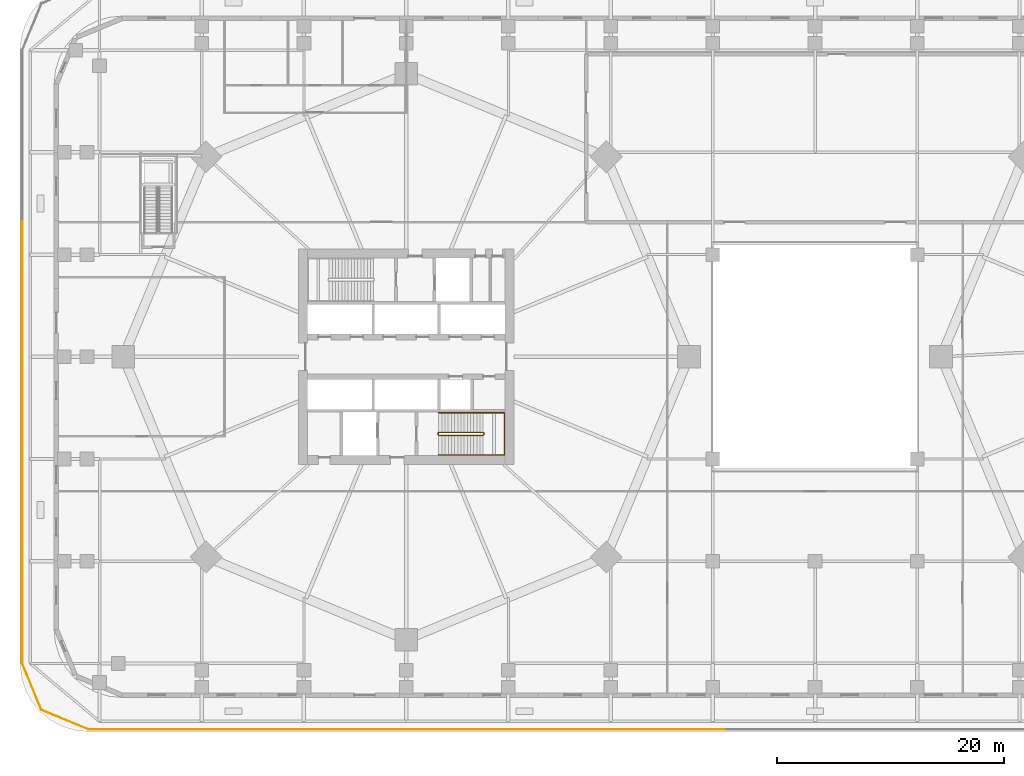
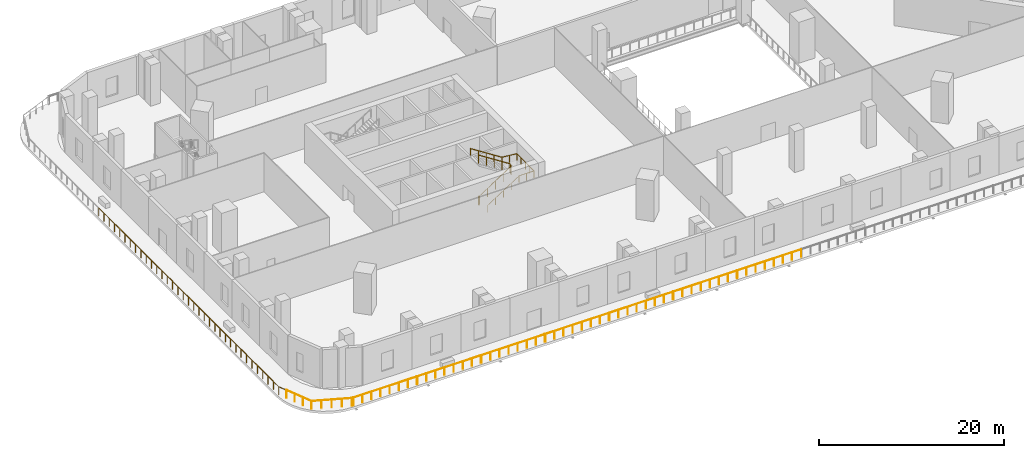
# One storey, part 13 of 19: 15 railings.
"""IFC4 building model written with IfcOpenShell, lengths in metres."""

from ifc_helpers import new_model, si_unit, direction, frame, origin, origin_2d, place, context, subcontext, project, spatial, circle, extrude, material, type_object, element, save


model = new_model("IFC4")

# Units and contexts
model_context = context("Model", 3, precision=1e-05, world=origin(), true_north=direction((0.0, 1.0)))
body_context = subcontext(model_context, "Body", "Model", "MODEL_VIEW")
ifc_project = project(units=[si_unit("LENGTHUNIT", "METRE"), si_unit("AREAUNIT", "SQUARE_METRE"), si_unit("VOLUMEUNIT", "CUBIC_METRE"), si_unit("PLANEANGLEUNIT", "RADIAN"), si_unit("MASSUNIT", "GRAM", prefix="KILO")], contexts=[model_context])

# Site, building, storey
site_placement = place(None, origin())
site = spatial("IfcSite", under=ifc_project, at=site_placement, CompositionType="ELEMENT")
building_placement = place(site_placement, origin())
building = spatial("IfcBuilding", under=site, at=building_placement, Name="Ogive Gate Towers", CompositionType="ELEMENT")
storey_placement = place(building_placement, frame((0.0, 0.0, 12.60009765625)))
storey = spatial("IfcBuildingStorey", under=building, at=storey_placement, Name="L02", CompositionType="ELEMENT", Elevation=12.60009765625)

# Railings
ifc_material = material(Name="Stainless steel", Category="steel")
railing_type_1 = type_object("IfcRailingType", Name="Guard 1100", PredefinedType="GUARDRAIL", material=ifc_material)
railing_1_placement = place(storey_placement, frame((-69.800048828125, 11.907470703125, 0.0)))
element("IfcRailing", 1, at=railing_1_placement, inside=storey, type_object=railing_type_1, Name="Terrace guard", PredefinedType="GUARDRAIL", context=body_context, shape_type="SweptSolid", body=[
    extrude(circle(Radius=0.02392578125, at=origin_2d()), frame((0.0, 0.0, 1.076171875), z_axis=(0.0, -1.0, 0.0), x_axis=(1.0, 0.0, 0.0)), (0.0, 0.0, 1.0), 7.940185546875),
    extrude(circle(Radius=0.02099609375, at=origin_2d()), origin(), (0.0, 0.0, 1.0), 1.052001953125),
    extrude(circle(Radius=0.02099609375, at=origin_2d()), frame((0.0, -1.13427734375, 0.0)), (0.0, 0.0, 1.0), 1.052001953125),
    extrude(circle(Radius=0.02099609375, at=origin_2d()), frame((0.0, -2.2685546875, 0.0)), (0.0, 0.0, 1.0), 1.052001953125),
    extrude(circle(Radius=0.02099609375, at=origin_2d()), frame((0.0, -3.40283203125, 0.0)), (0.0, 0.0, 1.0), 1.052001953125),
    extrude(circle(Radius=0.02099609375, at=origin_2d()), frame((0.0, -4.537353515625, 0.0)), (0.0, 0.0, 1.0), 1.052001953125),
    extrude(circle(Radius=0.02099609375, at=origin_2d()), frame((0.0, -5.671630859375, 0.0)), (0.0, 0.0, 1.0), 1.052001953125),
    extrude(circle(Radius=0.02099609375, at=origin_2d()), frame((0.0, -6.805908203125, 0.0)), (0.0, 0.0, 1.0), 1.052001953125),
    extrude(circle(Radius=0.02099609375, at=origin_2d()), frame((0.0, -7.940185546875, 0.0)), (0.0, 0.0, 1.0), 1.052001953125),
])
railing_2_placement = place(storey_placement, frame((-69.800048828125, 3.917236328125, 0.0)))
element("IfcRailing", 2, at=railing_2_placement, inside=storey, type_object=railing_type_1, Name="Terrace guard", PredefinedType="GUARDRAIL", context=body_context, shape_type="SweptSolid", body=[
    extrude(circle(Radius=0.02392578125, at=origin_2d()), frame((0.0, 0.0, 1.076171875), z_axis=(0.0, -1.0, 0.0), x_axis=(1.0, 0.0, 0.0)), (0.0, 0.0, 1.0), 7.9404296875),
    extrude(circle(Radius=0.02099609375, at=origin_2d()), origin(), (0.0, 0.0, 1.0), 1.052001953125),
    extrude(circle(Radius=0.02099609375, at=origin_2d()), frame((0.0, -1.13427734375, 0.0)), (0.0, 0.0, 1.0), 1.052001953125),
    extrude(circle(Radius=0.02099609375, at=origin_2d()), frame((0.0, -2.268798828125, 0.0)), (0.0, 0.0, 1.0), 1.052001953125),
    extrude(circle(Radius=0.02099609375, at=origin_2d()), frame((0.0, -3.403076171875, 0.0)), (0.0, 0.0, 1.0), 1.052001953125),
    extrude(circle(Radius=0.02099609375, at=origin_2d()), frame((0.0, -4.537353515625, 0.0)), (0.0, 0.0, 1.0), 1.052001953125),
    extrude(circle(Radius=0.02099609375, at=origin_2d()), frame((0.0, -5.671630859375, 0.0)), (0.0, 0.0, 1.0), 1.052001953125),
    extrude(circle(Radius=0.02099609375, at=origin_2d()), frame((0.0, -6.80615234375, 0.0)), (0.0, 0.0, 1.0), 1.052001953125),
    extrude(circle(Radius=0.02099609375, at=origin_2d()), frame((0.0, -7.9404296875, 0.0)), (0.0, 0.0, 1.0), 1.052001953125),
])
railing_3_placement = place(storey_placement, frame((-69.800048828125, -4.072998046875, 0.0)))
element("IfcRailing", 3, at=railing_3_placement, inside=storey, type_object=railing_type_1, Name="Terrace guard", PredefinedType="GUARDRAIL", context=body_context, shape_type="SweptSolid", body=[
    extrude(circle(Radius=0.02392578125, at=origin_2d()), frame((0.0, 0.0, 1.076171875), z_axis=(0.0, -1.0, 0.0), x_axis=(1.0, 0.0, 0.0)), (0.0, 0.0, 1.0), 7.940185546875),
    extrude(circle(Radius=0.02099609375, at=origin_2d()), origin(), (0.0, 0.0, 1.0), 1.052001953125),
    extrude(circle(Radius=0.02099609375, at=origin_2d()), frame((0.0, -1.13427734375, 0.0)), (0.0, 0.0, 1.0), 1.052001953125),
    extrude(circle(Radius=0.02099609375, at=origin_2d()), frame((0.0, -2.2685546875, 0.0)), (0.0, 0.0, 1.0), 1.052001953125),
    extrude(circle(Radius=0.02099609375, at=origin_2d()), frame((0.0, -3.40283203125, 0.0)), (0.0, 0.0, 1.0), 1.052001953125),
    extrude(circle(Radius=0.02099609375, at=origin_2d()), frame((0.0, -4.537353515625, 0.0)), (0.0, 0.0, 1.0), 1.052001953125),
    extrude(circle(Radius=0.02099609375, at=origin_2d()), frame((0.0, -5.671630859375, 0.0)), (0.0, 0.0, 1.0), 1.052001953125),
    extrude(circle(Radius=0.02099609375, at=origin_2d()), frame((0.0, -6.805908203125, 0.0)), (0.0, 0.0, 1.0), 1.052001953125),
    extrude(circle(Radius=0.02099609375, at=origin_2d()), frame((0.0, -7.940185546875, 0.0)), (0.0, 0.0, 1.0), 1.052001953125),
])
railing_4_placement = place(storey_placement, frame((-69.800048828125, -12.063232421875, 0.0)))
element("IfcRailing", 4, at=railing_4_placement, inside=storey, type_object=railing_type_1, Name="Terrace guard", PredefinedType="GUARDRAIL", context=body_context, shape_type="SweptSolid", body=[
    extrude(circle(Radius=0.02392578125, at=origin_2d()), frame((0.0, 0.0, 1.076171875), z_axis=(0.0, -1.0, 0.0), x_axis=(1.0, 0.0, 0.0)), (0.0, 0.0, 1.0), 7.9404296875),
    extrude(circle(Radius=0.02099609375, at=origin_2d()), origin(), (0.0, 0.0, 1.0), 1.052001953125),
    extrude(circle(Radius=0.02099609375, at=origin_2d()), frame((0.0, -1.13427734375, 0.0)), (0.0, 0.0, 1.0), 1.052001953125),
    extrude(circle(Radius=0.02099609375, at=origin_2d()), frame((0.0, -2.268798828125, 0.0)), (0.0, 0.0, 1.0), 1.052001953125),
    extrude(circle(Radius=0.02099609375, at=origin_2d()), frame((0.0, -3.403076171875, 0.0)), (0.0, 0.0, 1.0), 1.052001953125),
    extrude(circle(Radius=0.02099609375, at=origin_2d()), frame((0.0, -4.537353515625, 0.0)), (0.0, 0.0, 1.0), 1.052001953125),
    extrude(circle(Radius=0.02099609375, at=origin_2d()), frame((0.0, -5.671630859375, 0.0)), (0.0, 0.0, 1.0), 1.052001953125),
    extrude(circle(Radius=0.02099609375, at=origin_2d()), frame((0.0, -6.80615234375, 0.0)), (0.0, 0.0, 1.0), 1.052001953125),
    extrude(circle(Radius=0.02099609375, at=origin_2d()), frame((0.0, -7.9404296875, 0.0)), (0.0, 0.0, 1.0), 1.052001953125),
])
railing_5_placement = place(storey_placement, frame((-69.800048828125, -20.0537109375, 0.0)))
element("IfcRailing", 5, at=railing_5_placement, inside=storey, type_object=railing_type_1, Name="Terrace guard", PredefinedType="GUARDRAIL", context=body_context, shape_type="SweptSolid", body=[
    extrude(circle(Radius=0.02392578125, at=origin_2d()), frame((0.0, 0.0, 1.076171875), z_axis=(0.0, -1.0, 0.0), x_axis=(1.0, 0.0, 0.0)), (0.0, 0.0, 1.0), 6.9462890625),
    extrude(circle(Radius=0.02392578125, at=origin_2d()), frame((0.0, -6.9462890625, 1.076171875), z_axis=(0.382713371385, -0.923867130795, 0.0), x_axis=(0.923867130795, 0.382713371385, 0.0)), (0.0, 0.0, 1.0), 0.993896484375),
    extrude(circle(Radius=0.02099609375, at=origin_2d()), origin(), (0.0, 0.0, 1.0), 1.052001953125),
    extrude(circle(Radius=0.02099609375, at=origin_2d()), frame((0.0, -1.15771484375, 0.0)), (0.0, 0.0, 1.0), 1.052001953125),
    extrude(circle(Radius=0.02099609375, at=origin_2d()), frame((0.0, -2.3154296875, 0.0)), (0.0, 0.0, 1.0), 1.052001953125),
    extrude(circle(Radius=0.02099609375, at=origin_2d()), frame((0.0, -3.47314453125, 0.0)), (0.0, 0.0, 1.0), 1.052001953125),
    extrude(circle(Radius=0.02099609375, at=origin_2d()), frame((0.0, -4.630859375, 0.0)), (0.0, 0.0, 1.0), 1.052001953125),
    extrude(circle(Radius=0.02099609375, at=origin_2d()), frame((0.0, -5.78857421875, 0.0)), (0.0, 0.0, 1.0), 1.052001953125),
    extrude(circle(Radius=0.02099609375, at=origin_2d()), frame((0.0, -6.9462890625, 0.0)), (0.0, 0.0, 1.0), 1.052001953125),
    extrude(circle(Radius=0.02099609375, at=origin_2d()), frame((0.38037109375, -7.864501953125, 0.0)), (0.0, 0.0, 1.0), 1.052001953125),
])
railing_6_placement = place(storey_placement, frame((-69.400390625, -27.96435546875, 0.0)))
element("IfcRailing", 6, at=railing_6_placement, inside=storey, type_object=railing_type_1, Name="Terrace guard", PredefinedType="GUARDRAIL", context=body_context, shape_type="SweptSolid", body=[
    extrude(circle(Radius=0.02392578125, at=origin_2d()), frame((0.0, 0.0, 1.076171875), z_axis=(0.382607935992, -0.923910800519, 0.0), x_axis=(0.923910800519, 0.382607935992, 0.0)), (0.0, 0.0, 1.0), 3.395263671875),
    extrude(circle(Radius=0.02392578125, at=origin_2d()), frame((1.299072265625, -3.136962890625, 1.076171875), z_axis=(0.923886797369, -0.382665892976, 0.0), x_axis=(0.382665892976, 0.923886797369, 0.0)), (0.0, 0.0, 1.0), 4.439208984375),
    extrude(circle(Radius=0.02392578125, at=origin_2d()), frame((5.400390625, -4.835693359375, 1.076171875), z_axis=(1.0, 0.0, 0.0), x_axis=(0.0, 1.0, 0.0)), (0.0, 0.0, 1.0), 0.10595703125),
    extrude(circle(Radius=0.02099609375, at=origin_2d()), origin(), (0.0, 0.0, 1.0), 1.052001953125),
    extrude(circle(Radius=0.02099609375, at=origin_2d()), frame((0.43310546875, -1.045654296875, 0.0)), (0.0, 0.0, 1.0), 1.052001953125),
    extrude(circle(Radius=0.02099609375, at=origin_2d()), frame((0.865966796875, -2.09130859375, 0.0)), (0.0, 0.0, 1.0), 1.052001953125),
    extrude(circle(Radius=0.02099609375, at=origin_2d()), frame((1.299072265625, -3.136962890625, 0.0)), (0.0, 0.0, 1.0), 1.052001953125),
    extrude(circle(Radius=0.02099609375, at=origin_2d()), frame((2.324462890625, -3.5615234375, 0.0)), (0.0, 0.0, 1.0), 1.052001953125),
    extrude(circle(Radius=0.02099609375, at=origin_2d()), frame((3.349609375, -3.986328125, 0.0)), (0.0, 0.0, 1.0), 1.052001953125),
    extrude(circle(Radius=0.02099609375, at=origin_2d()), frame((4.375, -4.4111328125, 0.0)), (0.0, 0.0, 1.0), 1.052001953125),
    extrude(circle(Radius=0.02099609375, at=origin_2d()), frame((5.400390625, -4.835693359375, 0.0)), (0.0, 0.0, 1.0), 1.052001953125),
    extrude(circle(Radius=0.02099609375, at=origin_2d()), frame((5.50634765625, -4.835693359375, 0.0)), (0.0, 0.0, 1.0), 1.052001953125),
])
railing_7_placement = place(storey_placement, frame((-63.843994140625, -32.800048828125, 0.0)))
element("IfcRailing", 7, at=railing_7_placement, inside=storey, type_object=railing_type_1, Name="Terrace guard", PredefinedType="GUARDRAIL", context=body_context, shape_type="SweptSolid", body=[
    extrude(circle(Radius=0.02392578125, at=origin_2d()), frame((0.0, 0.0, 1.076171875), z_axis=(1.0, 0.0, 0.0), x_axis=(0.0, 1.0, 0.0)), (0.0, 0.0, 1.0), 7.940185546875),
    extrude(circle(Radius=0.02099609375, at=origin_2d()), origin(), (0.0, 0.0, 1.0), 1.052001953125),
    extrude(circle(Radius=0.02099609375, at=origin_2d()), frame((1.13427734375, 0.0, 0.0)), (0.0, 0.0, 1.0), 1.052001953125),
    extrude(circle(Radius=0.02099609375, at=origin_2d()), frame((2.2685546875, 0.0, 0.0)), (0.0, 0.0, 1.0), 1.052001953125),
    extrude(circle(Radius=0.02099609375, at=origin_2d()), frame((3.40283203125, 0.0, 0.0)), (0.0, 0.0, 1.0), 1.052001953125),
    extrude(circle(Radius=0.02099609375, at=origin_2d()), frame((4.537353515625, 0.0, 0.0)), (0.0, 0.0, 1.0), 1.052001953125),
    extrude(circle(Radius=0.02099609375, at=origin_2d()), frame((5.671630859375, 0.0, 0.0)), (0.0, 0.0, 1.0), 1.052001953125),
    extrude(circle(Radius=0.02099609375, at=origin_2d()), frame((6.805908203125, 0.0, 0.0)), (0.0, 0.0, 1.0), 1.052001953125),
    extrude(circle(Radius=0.02099609375, at=origin_2d()), frame((7.940185546875, 0.0, 0.0)), (0.0, 0.0, 1.0), 1.052001953125),
])
railing_8_placement = place(storey_placement, frame((-55.85400390625, -32.800048828125, 0.0)))
element("IfcRailing", 8, at=railing_8_placement, inside=storey, type_object=railing_type_1, Name="Terrace guard", PredefinedType="GUARDRAIL", context=body_context, shape_type="SweptSolid", body=[
    extrude(circle(Radius=0.02392578125, at=origin_2d()), frame((0.0, 0.0, 1.076171875), z_axis=(1.0, 0.0, 0.0), x_axis=(0.0, 1.0, 0.0)), (0.0, 0.0, 1.0), 7.9404296875),
    extrude(circle(Radius=0.02099609375, at=origin_2d()), origin(), (0.0, 0.0, 1.0), 1.052001953125),
    extrude(circle(Radius=0.02099609375, at=origin_2d()), frame((1.13427734375, 0.0, 0.0)), (0.0, 0.0, 1.0), 1.052001953125),
    extrude(circle(Radius=0.02099609375, at=origin_2d()), frame((2.268798828125, 0.0, 0.0)), (0.0, 0.0, 1.0), 1.052001953125),
    extrude(circle(Radius=0.02099609375, at=origin_2d()), frame((3.403076171875, 0.0, 0.0)), (0.0, 0.0, 1.0), 1.052001953125),
    extrude(circle(Radius=0.02099609375, at=origin_2d()), frame((4.537353515625, 0.0, 0.0)), (0.0, 0.0, 1.0), 1.052001953125),
    extrude(circle(Radius=0.02099609375, at=origin_2d()), frame((5.671630859375, 0.0, 0.0)), (0.0, 0.0, 1.0), 1.052001953125),
    extrude(circle(Radius=0.02099609375, at=origin_2d()), frame((6.80615234375, 0.0, 0.0)), (0.0, 0.0, 1.0), 1.052001953125),
    extrude(circle(Radius=0.02099609375, at=origin_2d()), frame((7.9404296875, 0.0, 0.0)), (0.0, 0.0, 1.0), 1.052001953125),
])
for number, where, name in (
    (9, (-47.863525390625, -32.800048828125, 0.0), "Terrace guard"),
    (10, (-39.873291015625, -32.800048828125, 0.0), "Terrace guard"),
    (11, (-31.883056640625, -32.800048828125, 0.0), "Terrace guard"),
    (12, (-23.892822265625, -32.800048828125, 0.0), "Terrace guard"),
    (13, (-15.902587890625, -32.800048828125, 0.0), "Terrace guard"),
):
    element("IfcRailing", number, at=place(storey_placement, frame(where)), inside=storey, type_object=railing_type_1, Name=name, PredefinedType="GUARDRAIL", context=body_context, shape_type="SweptSolid", body=[
        extrude(circle(Radius=0.02392578125, at=origin_2d()), frame((0.0, 0.0, 1.076171875), z_axis=(1.0, 0.0, 0.0), x_axis=(0.0, 1.0, 0.0)), (0.0, 0.0, 1.0), 7.940185546875),
        extrude(circle(Radius=0.02099609375, at=origin_2d()), origin(), (0.0, 0.0, 1.0), 1.052001953125),
        extrude(circle(Radius=0.02099609375, at=origin_2d()), frame((1.13427734375, 0.0, 0.0)), (0.0, 0.0, 1.0), 1.052001953125),
        extrude(circle(Radius=0.02099609375, at=origin_2d()), frame((2.2685546875, 0.0, 0.0)), (0.0, 0.0, 1.0), 1.052001953125),
        extrude(circle(Radius=0.02099609375, at=origin_2d()), frame((3.40283203125, 0.0, 0.0)), (0.0, 0.0, 1.0), 1.052001953125),
        extrude(circle(Radius=0.02099609375, at=origin_2d()), frame((4.537353515625, 0.0, 0.0)), (0.0, 0.0, 1.0), 1.052001953125),
        extrude(circle(Radius=0.02099609375, at=origin_2d()), frame((5.671630859375, 0.0, 0.0)), (0.0, 0.0, 1.0), 1.052001953125),
        extrude(circle(Radius=0.02099609375, at=origin_2d()), frame((6.805908203125, 0.0, 0.0)), (0.0, 0.0, 1.0), 1.052001953125),
        extrude(circle(Radius=0.02099609375, at=origin_2d()), frame((7.940185546875, 0.0, 0.0)), (0.0, 0.0, 1.0), 1.052001953125),
    ])
railing_type_2 = type_object("IfcRailingType", Name="Stair guard 1100", PredefinedType="GUARDRAIL", material=ifc_material)
railing_9_placement = place(storey_placement, frame((-33.18505859375, -6.860107421875, 0.0)))
element("IfcRailing", 14, at=railing_9_placement, inside=storey, type_object=railing_type_2, Name="L02 ST2 stair guard 1", PredefinedType="GUARDRAIL", context=body_context, shape_type="SweptSolid", body=[
    extrude(circle(Radius=0.02392578125, at=origin_2d()), frame((0.0, 0.0, 1.076171875), z_axis=(0.0, 1.0, 0.0), x_axis=(-1.0, 0.0, 0.0)), (0.0, 0.0, 1.0), 0.14501953125),
    extrude(circle(Radius=0.02392578125, at=origin_2d()), frame((0.0, 0.14501953125, 1.076171875), z_axis=(0.185446488196, -0.721884378442, 0.666702740491), x_axis=(0.968551454522, 0.24881334358, 0.0)), (0.0, 0.0, 1.0), 0.269775390625),
    extrude(circle(Radius=0.02392578125, at=origin_2d()), frame((0.050048828125, -0.0498046875, 1.255859375), z_axis=(0.841171666519, 0.0, 0.540768182723), x_axis=(0.0, 1.0, 0.0)), (0.0, 0.0, 1.0), 4.66015625),
    extrude(circle(Radius=0.02392578125, at=origin_2d()), frame((3.969970703125, -0.0498046875, 3.77587890625), z_axis=(0.708833529934, 0.705375805398, 0.0), x_axis=(-0.705375805398, 0.708833529934, 0.0)), (0.0, 0.0, 1.0), 0.070556640625),
    extrude(circle(Radius=0.02392578125, at=origin_2d()), frame((4.02001953125, 0.0, 3.77587890625), z_axis=(0.0, 1.0, 0.0), x_axis=(-1.0, 0.0, 0.0)), (0.0, 0.0, 1.0), 0.14501953125),
    extrude(circle(Radius=0.02392578125, at=origin_2d()), frame((4.02001953125, 0.14501953125, 3.77587890625), z_axis=(-0.258847668887, 0.258847668887, 0.930588936439), x_axis=(-0.707106781187, -0.707106781187, 0.0)), (0.0, 0.0, 1.0), 0.193359375),
    extrude(circle(Radius=0.02392578125, at=origin_2d()), frame((3.969970703125, 0.195068359375, 3.9560546875), z_axis=(-0.841171666519, 0.0, 0.540768182723), x_axis=(0.0, -1.0, 0.0)), (0.0, 0.0, 1.0), 4.66015625),
    extrude(circle(Radius=0.02099609375, at=origin_2d()), origin(), (0.0, 0.0, 1.0), 1.052001953125),
    extrude(circle(Radius=0.02099609375, at=origin_2d()), frame((0.0, 0.14501953125, 0.0)), (0.0, 0.0, 1.0), 1.052001953125),
    extrude(circle(Radius=0.02099609375, at=origin_2d()), frame((0.050048828125, -0.0498046875, 0.179931640625)), (0.0, 0.0, 1.0), 1.052001953125),
    extrude(circle(Radius=0.02099609375, at=origin_2d()), frame((1.030029296875, -0.0498046875, 0.81005859375)), (0.0, 0.0, 1.0), 1.052001953125),
    extrude(circle(Radius=0.02099609375, at=origin_2d()), frame((2.010009765625, -0.0498046875, 1.43994140625)), (0.0, 0.0, 1.0), 1.052001953125),
    extrude(circle(Radius=0.02099609375, at=origin_2d()), frame((2.989990234375, -0.0498046875, 2.06982421875)), (0.0, 0.0, 1.0), 1.052001953125),
    extrude(circle(Radius=0.02099609375, at=origin_2d()), frame((3.969970703125, -0.0498046875, 2.699951171875)), (0.0, 0.0, 1.0), 1.052001953125),
    extrude(circle(Radius=0.02099609375, at=origin_2d()), frame((4.02001953125, 0.0, 2.699951171875)), (0.0, 0.0, 1.0), 1.052001953125),
    extrude(circle(Radius=0.02099609375, at=origin_2d()), frame((4.02001953125, 0.14501953125, 2.699951171875)), (0.0, 0.0, 1.0), 1.052001953125),
    extrude(circle(Radius=0.02099609375, at=origin_2d()), frame((3.969970703125, 0.195068359375, 2.8798828125)), (0.0, 0.0, 1.0), 1.052001953125),
    extrude(circle(Radius=0.02099609375, at=origin_2d()), frame((2.989990234375, 0.195068359375, 3.509765625)), (0.0, 0.0, 1.0), 1.052001953125),
    extrude(circle(Radius=0.02099609375, at=origin_2d()), frame((2.010009765625, 0.195068359375, 4.139892578125)), (0.0, 0.0, 1.0), 1.052001953125),
    extrude(circle(Radius=0.02099609375, at=origin_2d()), frame((1.030029296875, 0.195068359375, 4.77001953125)), (0.0, 0.0, 1.0), 1.052001953125),
    extrude(circle(Radius=0.02099609375, at=origin_2d()), frame((0.050048828125, 0.195068359375, 5.39990234375)), (0.0, 0.0, 1.0), 1.052001953125),
])
railing_type_3 = type_object("IfcRailingType", Name="Stair handrail 900", PredefinedType="HANDRAIL", material=ifc_material)
railing_10_placement = place(storey_placement, frame((-33.135009765625, -8.64990234375, 0.179931640625)))
element("IfcRailing", 15, at=railing_10_placement, inside=storey, type_object=railing_type_3, Name="L02 ST2 stair handrail 1", PredefinedType="HANDRAIL", context=body_context, shape_type="SweptSolid", body=[
    extrude(circle(Radius=0.02392578125, at=origin_2d()), frame((0.0, 0.0, 0.8759765625), z_axis=(0.841171666519, 0.0, 0.540768182723), x_axis=(0.0, 1.0, 0.0)), (0.0, 0.0, 1.0), 4.66015625),
    extrude(circle(Radius=0.02392578125, at=origin_2d()), frame((3.919921875, 0.0, 3.39599609375), z_axis=(1.0, 0.0, 0.0), x_axis=(0.0, 1.0, 0.0)), (0.0, 0.0, 1.0), 1.864990234375),
    extrude(circle(Radius=0.02392578125, at=origin_2d()), frame((5.784912109375, 0.0, 3.39599609375), z_axis=(0.0, 1.0, 0.0), x_axis=(-1.0, 0.0, 0.0)), (0.0, 0.0, 1.0), 3.724853515625),
    extrude(circle(Radius=0.02392578125, at=origin_2d()), frame((5.784912109375, 3.724853515625, 3.39599609375), z_axis=(-0.995378180616, 0.0, 0.096032690027), x_axis=(0.0, -1.0, 0.0)), (0.0, 0.0, 1.0), 1.87353515625),
    extrude(circle(Radius=0.02392578125, at=origin_2d()), frame((3.919921875, 3.724853515625, 3.57568359375), z_axis=(-0.841171666519, 0.0, 0.540768182723), x_axis=(0.0, -1.0, 0.0)), (0.0, 0.0, 1.0), 4.66015625),
    extrude(circle(Radius=0.02099609375, at=origin_2d()), origin(), (0.0, 0.0, 1.0), 0.851806640625),
    extrude(circle(Radius=0.02099609375, at=origin_2d()), frame((0.97998046875, 0.0, 0.6298828125)), (0.0, 0.0, 1.0), 0.851806640625),
    extrude(circle(Radius=0.02099609375, at=origin_2d()), frame((1.9599609375, 0.0, 1.260009765625)), (0.0, 0.0, 1.0), 0.851806640625),
    extrude(circle(Radius=0.02099609375, at=origin_2d()), frame((2.93994140625, 0.0, 1.89013671875)), (0.0, 0.0, 1.0), 0.851806640625),
    extrude(circle(Radius=0.02099609375, at=origin_2d()), frame((3.919921875, 0.0, 2.52001953125)), (0.0, 0.0, 1.0), 0.851806640625),
    extrude(circle(Radius=0.02099609375, at=origin_2d()), frame((4.8525390625, 0.0, 2.52001953125)), (0.0, 0.0, 1.0), 0.851806640625),
    extrude(circle(Radius=0.02099609375, at=origin_2d()), frame((5.784912109375, 0.0, 2.52001953125)), (0.0, 0.0, 1.0), 0.851806640625),
    extrude(circle(Radius=0.02099609375, at=origin_2d()), frame((5.784912109375, 0.93115234375, 2.52001953125)), (0.0, 0.0, 1.0), 0.851806640625),
    extrude(circle(Radius=0.02099609375, at=origin_2d()), frame((5.784912109375, 1.8623046875, 2.52001953125)), (0.0, 0.0, 1.0), 0.851806640625),
    extrude(circle(Radius=0.02099609375, at=origin_2d()), frame((5.784912109375, 2.793701171875, 2.52001953125)), (0.0, 0.0, 1.0), 0.851806640625),
    extrude(circle(Radius=0.02099609375, at=origin_2d()), frame((5.784912109375, 3.724853515625, 2.52001953125)), (0.0, 0.0, 1.0), 0.851806640625),
    extrude(circle(Radius=0.02099609375, at=origin_2d()), frame((4.8525390625, 3.724853515625, 2.60986328125)), (0.0, 0.0, 1.0), 0.851806640625),
    extrude(circle(Radius=0.02099609375, at=origin_2d()), frame((3.919921875, 3.724853515625, 2.699951171875)), (0.0, 0.0, 1.0), 0.851806640625),
    extrude(circle(Radius=0.02099609375, at=origin_2d()), frame((2.93994140625, 3.724853515625, 3.330078125)), (0.0, 0.0, 1.0), 0.851806640625),
    extrude(circle(Radius=0.02099609375, at=origin_2d()), frame((1.9599609375, 3.724853515625, 3.9599609375)), (0.0, 0.0, 1.0), 0.851806640625),
    extrude(circle(Radius=0.02099609375, at=origin_2d()), frame((0.97998046875, 3.724853515625, 4.58984375)), (0.0, 0.0, 1.0), 0.851806640625),
    extrude(circle(Radius=0.02099609375, at=origin_2d()), frame((0.0, 3.724853515625, 5.219970703125)), (0.0, 0.0, 1.0), 0.851806640625),
])

save(model, "model.ifc")
